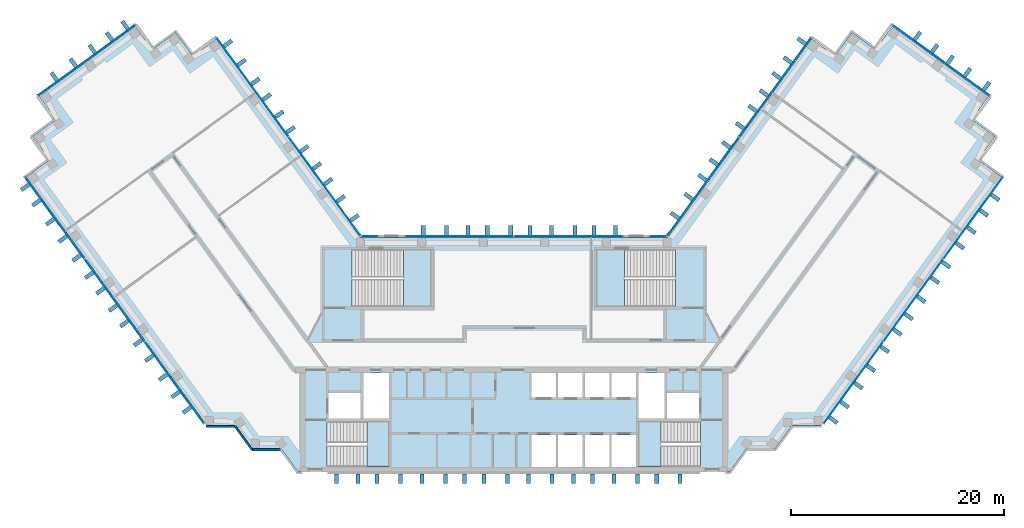
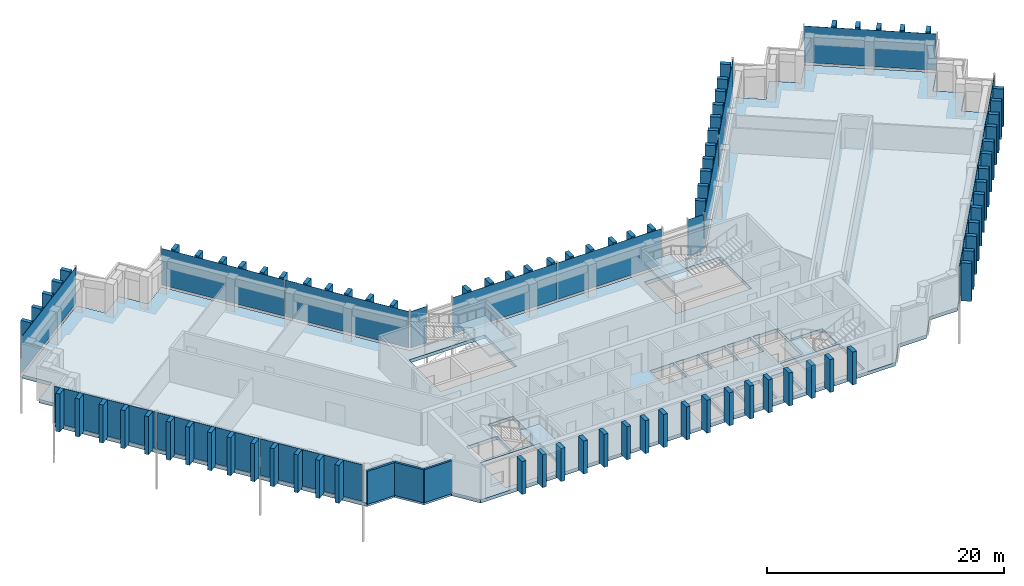
# One storey, part 6 of 13: 103 plates, 5 slabs, 3 walls, 13 elements without a shape of their own.
"""IFC4 building model written with IfcOpenShell, lengths in metres."""

import ifcopenshell
import ifcopenshell.guid

model = None  # the IFC model being written
_history = None  # IfcOwnerHistory: only IFC2X3 demands one
_inside = {}  # id of a spatial element -> (the spatial element, [elements in it])
_under = {}  # id of a project, library or spatial element -> (it, [spatial elements below it])
_declared = {}  # id of a project -> (the project, [libraries it declares])
_typed = {}  # id of a type object -> (the type object, [elements of that type])
_made_of = {}  # id of a material, layer set ... -> (it, [elements and type objects made of it])


def new_model(schema):
    """Start an empty IFC model of exactly this schema.

    Asked for "IFC4X3", IfcOpenShell would pick the latest addendum, in which some entities
    have other attributes; the version numbers below select the first issue.
    IFC2X3 requires an IfcOwnerHistory on every rooted entity: one is made here for all.
    """
    global model, _history
    if schema == "IFC4X3":
        model = ifcopenshell.file(schema_version=(4, 3, 0, 0))
    else:
        model = ifcopenshell.file(schema=schema)
    _inside.clear()
    _under.clear()
    _declared.clear()
    _typed.clear()
    _made_of.clear()
    _history = None
    if model.schema == "IFC2X3":
        org = make("IfcOrganization", Name="unknown")
        user = make(
            "IfcPersonAndOrganization",
            ThePerson=make("IfcPerson", FamilyName="unknown"),
            TheOrganization=org,
        )
        app = make(
            "IfcApplication",
            ApplicationDeveloper=org,
            Version="unknown",
            ApplicationFullName="unknown",
            ApplicationIdentifier="unknown",
        )
        _history = make(
            "IfcOwnerHistory",
            OwningUser=user,
            OwningApplication=app,
            ChangeAction="ADDED",
            CreationDate=0,
        )
    return model


def make(cls, **values):
    """One entity of the class cls with the attributes given. An attribute that is None is left unset."""
    return model.create_entity(
        cls, **{name: value for name, value in values.items() if value is not None}
    )


def rooted(cls, **values):
    """An entity with a GlobalId (a new one), such as an element, a storey or a relation."""
    return make(cls, GlobalId=ifcopenshell.guid.new(), OwnerHistory=_history, **values)


def si_unit(unit_type, name, prefix=None):
    """IfcSIUnit, for example si_unit("LENGTHUNIT", "METRE", prefix="MILLI")."""
    return make("IfcSIUnit", UnitType=unit_type, Prefix=prefix, Name=name)


def assignment(units):
    """IfcUnitAssignment: the units of a project."""
    return None if units is None else make("IfcUnitAssignment", Units=units)


def point(xyz):
    """IfcCartesianPoint."""
    return None if xyz is None else make("IfcCartesianPoint", Coordinates=xyz)


def direction(xyz):
    """IfcDirection."""
    return None if xyz is None else make("IfcDirection", DirectionRatios=xyz)


def frame(location, z_axis=None, x_axis=None):
    """IfcAxis2Placement3D, a coordinate frame: its origin and axes. An axis left out is left unset."""
    return make(
        "IfcAxis2Placement3D",
        Location=point(location),
        Axis=direction(z_axis),
        RefDirection=direction(x_axis),
    )


def frame_2d(location, x_axis=None):
    """IfcAxis2Placement2D, a coordinate frame in the plane: its origin and x axis."""
    return make(
        "IfcAxis2Placement2D", Location=point(location), RefDirection=direction(x_axis)
    )


def origin():
    """The frame at (0, 0, 0) with its axes left unset."""
    return frame((0.0, 0.0, 0.0))


def origin_2d():
    """The frame at (0, 0) in the plane with its x axis left unset."""
    return frame_2d((0.0, 0.0))


def place(relative_to, where):
    """IfcLocalPlacement: puts the frame where relative to a parent placement (None: the world)."""
    return make(
        "IfcLocalPlacement", PlacementRelTo=relative_to, RelativePlacement=where
    )


def context(
    kind, dimensions, precision=None, world=None, true_north=None, identifier=None
):
    """IfcGeometricRepresentationContext, for example the 3D "Model" context."""
    return make(
        "IfcGeometricRepresentationContext",
        ContextIdentifier=identifier,
        ContextType=kind,
        CoordinateSpaceDimension=dimensions,
        Precision=precision,
        WorldCoordinateSystem=world,
        TrueNorth=true_north,
    )


def subcontext(parent, identifier, kind, view, scale=None):
    """IfcGeometricRepresentationSubContext, for example "Body" below "Model"."""
    return make(
        "IfcGeometricRepresentationSubContext",
        ContextIdentifier=identifier,
        ContextType=kind,
        ParentContext=parent,
        TargetScale=scale,
        TargetView=view,
    )


def project(units=None, contexts=None):
    """IfcProject with its units and contexts."""
    return rooted(
        "IfcProject",
        Name="project",
        RepresentationContexts=contexts,
        UnitsInContext=assignment(units),
    )


def spatial(cls, under=None, at=None, **own):
    """A site, building, storey or space (cls), placed at a placement, below another one or the project."""
    s = rooted(cls, ObjectPlacement=at, **own)
    if under is not None:
        _under.setdefault(under.id(), (under, []))[1].append(s)
    return s


def polyline(points):
    """IfcPolyline through the points."""
    return make("IfcPolyline", Points=[point(p) for p in points])


def profile(cls, at=None, kind="AREA", **sizes):
    """A parametric profile (cls). Its sizes go by their IFC names, for example OverallWidth=200.0."""
    return make(cls, ProfileType=kind, Position=at, **sizes)


def rectangle(**sizes):
    """IfcRectangleProfileDef."""
    return profile("IfcRectangleProfileDef", **sizes)


def outline(outer, holes=None, kind="AREA"):
    """IfcArbitraryClosedProfileDef: a profile drawn as a closed curve; with holes, ...WithVoids."""
    if holes is None:
        return make("IfcArbitraryClosedProfileDef", ProfileType=kind, OuterCurve=outer)
    return make(
        "IfcArbitraryProfileDefWithVoids",
        ProfileType=kind,
        OuterCurve=outer,
        InnerCurves=holes,
    )


def extrude(swept, where, along, depth):
    """IfcExtrudedAreaSolid: the profile swept, set in the frame where, extruded along a direction by depth."""
    return make(
        "IfcExtrudedAreaSolid",
        SweptArea=swept,
        Position=where,
        ExtrudedDirection=direction(along),
        Depth=depth,
    )


def shape(context_of_items, identifier, shape_type, items):
    """IfcShapeRepresentation: the items that make up one representation, for example the "Body"."""
    return make(
        "IfcShapeRepresentation",
        ContextOfItems=context_of_items,
        RepresentationIdentifier=identifier,
        RepresentationType=shape_type,
        Items=items,
    )


def material(Name=None, Category=None):
    """IfcMaterial."""
    return make("IfcMaterial", Name=Name, Category=Category)


def layer(
    of_material, thickness, ventilated=None, Name=None, Category=None, Priority=None
):
    """IfcMaterialLayer: one layer of a wall or slab, of a material (None: an air gap)."""
    return make(
        "IfcMaterialLayer",
        Material=of_material,
        LayerThickness=thickness,
        IsVentilated=ventilated,
        Name=Name,
        Category=Category,
        Priority=Priority,
    )


def layer_set(layers, Name=None):
    """IfcMaterialLayerSet."""
    return make("IfcMaterialLayerSet", MaterialLayers=layers, LayerSetName=Name)


def made_of(thing, what):
    """Note that an element or type object is made of a material, layer set ...; save() writes the relation."""
    if what is not None:
        _made_of.setdefault(what.id(), (what, []))[1].append(thing)
    return thing


def type_object(cls, material=None, **own):
    """A type object (cls), such as IfcWallType, which elements share."""
    return made_of(rooted(cls, **own), material)


def element(
    cls,
    number,
    at=None,
    inside=None,
    cuts=None,
    type_object=None,
    material=None,
    context=None,
    identifier="Body",
    shape_type=None,
    held_by="IfcProductDefinitionShape",
    body=None,
    shapes=None,
    **own,
):
    """One element of the class cls, such as IfcWall. Its Tag is "e" and its number.

    at: its placement. inside: the storey or other place that contains it. cuts: it is an
    opening in that element (IfcRelVoidsElement). A single representation is given by context,
    identifier, shape_type and body (its items); several are given by shapes. held_by: the class
    of the entity that holds the representations. save() writes the other relations.
    """
    e = rooted(cls, Tag="e%d" % number, ObjectPlacement=at, **own)
    if body is not None:
        shapes = [shape(context, identifier, shape_type, body)]
    if shapes is not None:
        e.Representation = make(held_by, Representations=shapes)
    if inside is not None:
        _inside.setdefault(inside.id(), (inside, []))[1].append(e)
    if cuts is not None:
        rooted(
            "IfcRelVoidsElement", RelatingBuildingElement=cuts, RelatedOpeningElement=e
        )
    if type_object is not None:
        _typed.setdefault(type_object.id(), (type_object, []))[1].append(e)
    return made_of(e, material)


def aggregate(whole, parts):
    """IfcRelAggregates: a whole, such as a stair, and the parts it consists of."""
    return rooted("IfcRelAggregates", RelatingObject=whole, RelatedObjects=parts)


def save(model, path):
    """Write the relations noted so far, then the file.

    IfcRelAggregates (storeys below a building ...), IfcRelContainedInSpatialStructure (elements
    in a storey), IfcRelDefinesByType, IfcRelAssociatesMaterial and IfcRelDeclares: one each for
    every whole, place, type object, material and project.
    """
    for whole, parts in _under.values():
        aggregate(whole, parts)
    for where, things in _inside.values():
        rooted(
            "IfcRelContainedInSpatialStructure",
            RelatedElements=things,
            RelatingStructure=where,
        )
    for kind, things in _typed.values():
        rooted("IfcRelDefinesByType", RelatedObjects=things, RelatingType=kind)
    for what, things in _made_of.values():
        rooted("IfcRelAssociatesMaterial", RelatedObjects=things, RelatingMaterial=what)
    for by, libraries in _declared.values():
        rooted("IfcRelDeclares", RelatingContext=by, RelatedDefinitions=libraries)
    model.write(path)


model = new_model("IFC4")

# Units and contexts
model_context = context("Model", 3, precision=1e-05, world=origin(), true_north=direction((0.0, 1.0)))
body_context = subcontext(model_context, "Body", "Model", "MODEL_VIEW")
ifc_project = project(units=[si_unit("LENGTHUNIT", "METRE"), si_unit("AREAUNIT", "SQUARE_METRE"), si_unit("VOLUMEUNIT", "CUBIC_METRE"), si_unit("PLANEANGLEUNIT", "RADIAN"), si_unit("MASSUNIT", "GRAM", prefix="KILO")], contexts=[model_context])

# Site, building, storey
site_placement = place(None, origin())
site = spatial("IfcSite", under=ifc_project, at=site_placement, CompositionType="ELEMENT")
building_placement = place(site_placement, origin())
building = spatial("IfcBuilding", under=site, at=building_placement, Name="Quipu Civic Tower", CompositionType="ELEMENT")
storey_placement = place(building_placement, frame((0.0, 0.0, 184.0)))
storey = spatial("IfcBuildingStorey", under=building, at=storey_placement, Name="L43", CompositionType="ELEMENT", Elevation=184.0)

# Slab
ifc_material_1 = material(Name="Concrete C40/50", Category="concrete")
ifc_layer_1 = layer(ifc_material_1, 0.35009765625)
ifc_layer_set_1 = layer_set([ifc_layer_1], Name="Concrete C40/50")
slab_type_1 = type_object("IfcSlabType", Name="Floor slab 350 C40/50", PredefinedType="FLOOR", material=ifc_layer_set_1)
slab_1_placement = place(storey_placement, frame((0.0, 0.0, -0.35009765625)))
element("IfcSlab", 1, at=slab_1_placement, inside=storey, type_object=slab_type_1, Name="Floor slab L43", PredefinedType="FLOOR", context=body_context, shape_type="SweptSolid", body=[
    extrude(outline(polyline([(27.909912109375, 29.60498046875), (30.094970703125, 28.014892578125), (31.68505859375, 30.199951171875), (33.864990234375, 28.614990234375), (35.455078125, 30.800048828125), (44.514892578125, 24.215087890625), (42.929931640625, 22.030029296875), (45.114990234375, 20.445068359375), (43.52490234375, 18.260009765625), (45.7099609375, 16.669921875), (28.780029296875, -6.6298828125), (26.080078125, -6.6298828125), (24.489990234375, -8.81494140625), (21.7900390625, -8.81494140625), (20.205078125, -11.0), (-20.205078125, -11.0), (-21.7900390625, -8.81494140625), (-24.489990234375, -8.81494140625), (-26.080078125, -6.6298828125), (-28.780029296875, -6.6298828125), (-45.7099609375, 16.669921875), (-43.52490234375, 18.260009765625), (-45.114990234375, 20.445068359375), (-42.929931640625, 22.030029296875), (-44.514892578125, 24.215087890625), (-35.455078125, 30.800048828125), (-33.864990234375, 28.614990234375), (-31.68505859375, 30.199951171875), (-30.094970703125, 28.014892578125), (-27.909912109375, 29.60498046875), (-14.39501953125, 11.0), (14.39501953125, 11.0), (27.909912109375, 29.60498046875)]), holes=[polyline([(1.64990234375, -7.5), (1.64990234375, -10.5), (3.949951171875, -10.5), (3.949951171875, -7.5), (1.64990234375, -7.5)]), polyline([(4.14990234375, -7.5), (4.14990234375, -10.5), (6.449951171875, -10.5), (6.449951171875, -7.5), (4.14990234375, -7.5)]), polyline([(-11.705078125, -6.2548828125), (-17.4951171875, -6.2548828125), (-17.4951171875, -10.4951171875), (-11.705078125, -10.4951171875), (-11.705078125, -6.2548828125)]), polyline([(-17.35009765625, -3.60009765625), (-17.35009765625, -6.0), (-14.35009765625, -6.0), (-14.35009765625, -3.60009765625), (-17.35009765625, -3.60009765625)]), polyline([(-14.10009765625, -1.699951171875), (-14.10009765625, -6.0), (-11.699951171875, -6.0), (-11.699951171875, -1.699951171875), (-14.10009765625, -1.699951171875)]), polyline([(1.64990234375, -1.699951171875), (1.64990234375, -4.0), (3.949951171875, -4.0), (3.949951171875, -1.699951171875), (1.64990234375, -1.699951171875)]), polyline([(4.14990234375, -1.699951171875), (4.14990234375, -4.0), (6.449951171875, -4.0), (6.449951171875, -1.699951171875), (4.14990234375, -1.699951171875)]), polyline([(-7.7548828125, 9.844970703125), (-15.14501953125, 9.844970703125), (-15.14501953125, 4.5048828125), (-7.7548828125, 4.5048828125), (-7.7548828125, 9.844970703125)]), polyline([(6.64990234375, -7.5), (6.64990234375, -10.5), (8.949951171875, -10.5), (8.949951171875, -7.5), (6.64990234375, -7.5)]), polyline([(9.14990234375, -7.5), (9.14990234375, -10.5), (11.449951171875, -10.5), (11.449951171875, -7.5), (9.14990234375, -7.5)]), polyline([(11.705078125, -10.4951171875), (17.4951171875, -10.4951171875), (17.4951171875, -6.2548828125), (11.705078125, -6.2548828125), (11.705078125, -10.4951171875)]), polyline([(14.35009765625, -3.60009765625), (14.35009765625, -6.0), (17.35009765625, -6.0), (17.35009765625, -3.60009765625), (14.35009765625, -3.60009765625)]), polyline([(11.699951171875, -1.699951171875), (11.699951171875, -6.0), (14.10009765625, -6.0), (14.10009765625, -1.699951171875), (11.699951171875, -1.699951171875)]), polyline([(6.64990234375, -1.699951171875), (6.64990234375, -4.0), (8.949951171875, -4.0), (8.949951171875, -1.699951171875), (6.64990234375, -1.699951171875)]), polyline([(9.14990234375, -1.699951171875), (9.14990234375, -4.0), (11.449951171875, -4.0), (11.449951171875, -1.699951171875), (9.14990234375, -1.699951171875)]), polyline([(7.7548828125, 4.5048828125), (15.14501953125, 4.5048828125), (15.14501953125, 9.844970703125), (7.7548828125, 9.844970703125), (7.7548828125, 4.5048828125)])]), origin(), (0.0, 0.0, 1.0), 0.35009765625),
])

# Curtain wall, plates
ifc_material_2 = material(Name="Insulated glass unit", Category="glass")
curtain_wall_type = type_object("IfcCurtainWallType", Name="Office curtain wall CW1", PredefinedType="NOTDEFINED", material=ifc_material_2)
curtain_wall_1_placement = place(storey_placement, origin())
curtain_wall_1 = element("IfcCurtainWall", 2, at=curtain_wall_1_placement, inside=storey, type_object=curtain_wall_type, Name="Office curtain wall CW1 L42 run 1", PredefinedType="NOTDEFINED")
ifc_material_3 = material(Name="Insulated glass unit", Category="glass")
ifc_layer_2 = layer(ifc_material_3, 0.028076171875)
ifc_layer_set_2 = layer_set([ifc_layer_2], Name="Insulated glass unit")
plate_type_1 = type_object("IfcPlateType", Name="Glass panel CW1", PredefinedType="CURTAIN_PANEL", material=ifc_layer_set_2)
plate_1_placement = place(storey_placement, frame((-17.7421875, 15.777099609375, 0.16015625), z_axis=(0.0, 0.0, 1.0), x_axis=(-0.587788727052, 0.809014469803, 0.0)))
plate_1 = element("IfcPlate", 3, at=plate_1_placement, type_object=plate_type_1, Name="CW1 panel 1.2", PredefinedType="CURTAIN_PANEL", context=body_context, shape_type="SweptSolid", body=[
    extrude(rectangle(XDim=11.402099609375, YDim=0.028076171875, at=origin_2d()), origin(), (0.0, 0.0, 1.0), 3.760009765625),
])
plate_2_placement = place(storey_placement, frame((-24.491455078125, 25.066162109375, 0.16015625), z_axis=(0.0, 0.0, 1.0), x_axis=(-0.587788727052, 0.809014469803, 0.0)))
plate_2 = element("IfcPlate", 4, at=plate_2_placement, type_object=plate_type_1, Name="CW1 panel 2.2", PredefinedType="CURTAIN_PANEL", context=body_context, shape_type="SweptSolid", body=[
    extrude(rectangle(XDim=11.402099609375, YDim=0.028076171875, at=origin_2d()), origin(), (0.0, 0.0, 1.0), 3.760009765625),
])
aggregate(curtain_wall_1, [plate_1, plate_2])

# Curtain wall, plate
curtain_wall_2_placement = place(storey_placement, origin())
curtain_wall_2 = element("IfcCurtainWall", 5, at=curtain_wall_2_placement, inside=storey, type_object=curtain_wall_type, Name="Office curtain wall CW1 L42 run 6", PredefinedType="NOTDEFINED")
plate_3_placement = place(storey_placement, frame((-40.04345703125, 27.58740234375, 0.16015625), z_axis=(0.0, 0.0, 1.0), x_axis=(-0.809015176832, -0.587787753918, 0.0)))
plate_3 = element("IfcPlate", 6, at=plate_3_placement, type_object=plate_type_1, Name="CW1 panel 1.2", PredefinedType="CURTAIN_PANEL", context=body_context, shape_type="SweptSolid", body=[
    extrude(rectangle(XDim=11.239990234375, YDim=0.028076171875, at=origin_2d()), origin(), (0.0, 0.0, 1.0), 3.760009765625),
])
aggregate(curtain_wall_2, [plate_3])

# Curtain wall, plates
curtain_wall_3_placement = place(storey_placement, origin())
curtain_wall_3 = element("IfcCurtainWall", 7, at=curtain_wall_3_placement, inside=storey, type_object=curtain_wall_type, Name="Office curtain wall CW1 L42 run 8", PredefinedType="NOTDEFINED")
plate_4_placement = place(storey_placement, frame((-43.030517578125, 12.814208984375, 0.16015625), z_axis=(0.0, 0.0, 1.0), x_axis=(0.5877856923, -0.80901667469, 0.0)))
plate_4 = element("IfcPlate", 8, at=plate_4_placement, type_object=plate_type_1, Name="CW1 panel 1.2", PredefinedType="CURTAIN_PANEL", context=body_context, shape_type="SweptSolid", body=[
    extrude(rectangle(XDim=9.43212890625, YDim=0.028076171875, at=origin_2d()), origin(), (0.0, 0.0, 1.0), 3.760009765625),
])
plate_5_placement = place(storey_placement, frame((-37.427734375, 5.102783203125, 0.16015625), z_axis=(0.0, 0.0, 1.0), x_axis=(0.5877856923, -0.80901667469, 0.0)))
plate_5 = element("IfcPlate", 9, at=plate_5_placement, type_object=plate_type_1, Name="CW1 panel 2.2", PredefinedType="CURTAIN_PANEL", context=body_context, shape_type="SweptSolid", body=[
    extrude(rectangle(XDim=9.471923828125, YDim=0.028076171875, at=origin_2d()), origin(), (0.0, 0.0, 1.0), 3.760009765625),
])
plate_6_placement = place(storey_placement, frame((-31.824951171875, -2.60888671875, 0.16015625), z_axis=(0.0, 0.0, 1.0), x_axis=(0.5877856923, -0.80901667469, 0.0)))
plate_6 = element("IfcPlate", 10, at=plate_6_placement, type_object=plate_type_1, Name="CW1 panel 3.2", PredefinedType="CURTAIN_PANEL", context=body_context, shape_type="SweptSolid", body=[
    extrude(rectangle(XDim=9.43212890625, YDim=0.028076171875, at=origin_2d()), origin(), (0.0, 0.0, 1.0), 3.760009765625),
])
aggregate(curtain_wall_3, [plate_4, plate_5, plate_6])

curtain_wall_4_placement = place(storey_placement, origin())
curtain_wall_4 = element("IfcCurtainWall", 11, at=curtain_wall_4_placement, inside=storey, type_object=curtain_wall_type, Name="Office curtain wall CW1 L42 run 20", PredefinedType="NOTDEFINED")
plate_7_placement = place(storey_placement, frame((31.824951171875, -2.60888671875, 0.16015625), z_axis=(0.0, 0.0, 1.0), x_axis=(0.5877856923, 0.80901667469, 0.0)))
plate_7 = element("IfcPlate", 12, at=plate_7_placement, type_object=plate_type_1, Name="CW1 panel 1.2", PredefinedType="CURTAIN_PANEL", context=body_context, shape_type="SweptSolid", body=[
    extrude(rectangle(XDim=9.43212890625, YDim=0.028076171875, at=origin_2d()), origin(), (0.0, 0.0, 1.0), 3.760009765625),
])
plate_8_placement = place(storey_placement, frame((37.427734375, 5.102783203125, 0.16015625), z_axis=(0.0, 0.0, 1.0), x_axis=(0.5877856923, 0.80901667469, 0.0)))
plate_8 = element("IfcPlate", 13, at=plate_8_placement, type_object=plate_type_1, Name="CW1 panel 2.2", PredefinedType="CURTAIN_PANEL", context=body_context, shape_type="SweptSolid", body=[
    extrude(rectangle(XDim=9.471923828125, YDim=0.028076171875, at=origin_2d()), origin(), (0.0, 0.0, 1.0), 3.760009765625),
])
plate_9_placement = place(storey_placement, frame((43.030517578125, 12.814208984375, 0.16015625), z_axis=(0.0, 0.0, 1.0), x_axis=(0.5877856923, 0.80901667469, 0.0)))
plate_9 = element("IfcPlate", 14, at=plate_9_placement, type_object=plate_type_1, Name="CW1 panel 3.2", PredefinedType="CURTAIN_PANEL", context=body_context, shape_type="SweptSolid", body=[
    extrude(rectangle(XDim=9.43212890625, YDim=0.028076171875, at=origin_2d()), origin(), (0.0, 0.0, 1.0), 3.760009765625),
])
aggregate(curtain_wall_4, [plate_7, plate_8, plate_9])

# Curtain wall, plate
curtain_wall_5_placement = place(storey_placement, origin())
curtain_wall_5 = element("IfcCurtainWall", 15, at=curtain_wall_5_placement, inside=storey, type_object=curtain_wall_type, Name="Office curtain wall CW1 L42 run 25", PredefinedType="NOTDEFINED")
plate_10_placement = place(storey_placement, frame((40.04345703125, 27.58740234375, 0.16015625), z_axis=(0.0, 0.0, 1.0), x_axis=(-0.809015176832, 0.587787753918, 0.0)))
plate_10 = element("IfcPlate", 16, at=plate_10_placement, type_object=plate_type_1, Name="CW1 panel 1.2", PredefinedType="CURTAIN_PANEL", context=body_context, shape_type="SweptSolid", body=[
    extrude(rectangle(XDim=11.239990234375, YDim=0.028076171875, at=origin_2d()), origin(), (0.0, 0.0, 1.0), 3.760009765625),
])
aggregate(curtain_wall_5, [plate_10])

# Curtain wall, plates
curtain_wall_6_placement = place(storey_placement, origin())
curtain_wall_6 = element("IfcCurtainWall", 17, at=curtain_wall_6_placement, inside=storey, type_object=curtain_wall_type, Name="Office curtain wall CW1 L42 run 30", PredefinedType="NOTDEFINED")
plate_11_placement = place(storey_placement, frame((24.491455078125, 25.066162109375, 0.16015625), z_axis=(0.0, 0.0, 1.0), x_axis=(-0.587788727052, -0.809014469803, 0.0)))
plate_11 = element("IfcPlate", 18, at=plate_11_placement, type_object=plate_type_1, Name="CW1 panel 1.2", PredefinedType="CURTAIN_PANEL", context=body_context, shape_type="SweptSolid", body=[
    extrude(rectangle(XDim=11.402099609375, YDim=0.028076171875, at=origin_2d()), origin(), (0.0, 0.0, 1.0), 3.760009765625),
])
plate_12_placement = place(storey_placement, frame((17.7421875, 15.777099609375, 0.16015625), z_axis=(0.0, 0.0, 1.0), x_axis=(-0.587788727052, -0.809014469803, 0.0)))
plate_12 = element("IfcPlate", 19, at=plate_12_placement, type_object=plate_type_1, Name="CW1 panel 2.2", PredefinedType="CURTAIN_PANEL", context=body_context, shape_type="SweptSolid", body=[
    extrude(rectangle(XDim=11.402099609375, YDim=0.028076171875, at=origin_2d()), origin(), (0.0, 0.0, 1.0), 3.760009765625),
])
aggregate(curtain_wall_6, [plate_11, plate_12])

# Curtain wall, plate
curtain_wall_7_placement = place(storey_placement, origin())
curtain_wall_7 = element("IfcCurtainWall", 20, at=curtain_wall_7_placement, inside=storey, type_object=curtain_wall_type, Name="Office curtain wall CW1 L42 run 31", PredefinedType="NOTDEFINED")
plate_13_placement = place(storey_placement, frame((13.49951171875, 11.10009765625, 0.16015625), z_axis=(0.0, 0.0, 1.0), x_axis=(-1.0, 0.0, 0.0)))
plate_13 = element("IfcPlate", 21, at=plate_13_placement, type_object=plate_type_1, Name="CW1 panel 1.2", PredefinedType="CURTAIN_PANEL", context=body_context, shape_type="SweptSolid", body=[
    extrude(rectangle(XDim=1.529296875, YDim=0.028076171875, at=origin_2d()), origin(), (0.0, 0.0, 1.0), 3.760009765625),
])
aggregate(curtain_wall_7, [plate_13])

# Curtain wall, plates
curtain_wall_8_placement = place(storey_placement, origin())
curtain_wall_8 = element("IfcCurtainWall", 22, at=curtain_wall_8_placement, inside=storey, type_object=curtain_wall_type, Name="Office curtain wall CW1 L42 run 33", PredefinedType="NOTDEFINED")
plate_14_placement = place(storey_placement, frame((5.11181640625, 11.10009765625, 0.16015625), z_axis=(0.0, 0.0, 1.0), x_axis=(-1.0, 0.0, 0.0)))
plate_14 = element("IfcPlate", 23, at=plate_14_placement, type_object=plate_type_1, Name="CW1 panel 1.2", PredefinedType="CURTAIN_PANEL", context=body_context, shape_type="SweptSolid", body=[
    extrude(rectangle(XDim=10.1435546875, YDim=0.028076171875, at=origin_2d()), origin(), (0.0, 0.0, 1.0), 3.760009765625),
])
plate_15_placement = place(storey_placement, frame((-5.11181640625, 11.10009765625, 0.16015625), z_axis=(0.0, 0.0, 1.0), x_axis=(-1.0, 0.0, 0.0)))
plate_15 = element("IfcPlate", 24, at=plate_15_placement, type_object=plate_type_1, Name="CW1 panel 2.2", PredefinedType="CURTAIN_PANEL", context=body_context, shape_type="SweptSolid", body=[
    extrude(rectangle(XDim=10.1435546875, YDim=0.028076171875, at=origin_2d()), origin(), (0.0, 0.0, 1.0), 3.760009765625),
])
aggregate(curtain_wall_8, [plate_14, plate_15])

# Curtain wall, plate
curtain_wall_9_placement = place(storey_placement, origin())
curtain_wall_9 = element("IfcCurtainWall", 25, at=curtain_wall_9_placement, inside=storey, type_object=curtain_wall_type, Name="Office curtain wall CW1 L42 run 35", PredefinedType="NOTDEFINED")
plate_16_placement = place(storey_placement, frame((-13.49951171875, 11.10009765625, 0.16015625), z_axis=(0.0, 0.0, 1.0), x_axis=(-1.0, 0.0, 0.0)))
plate_16 = element("IfcPlate", 26, at=plate_16_placement, type_object=plate_type_1, Name="CW1 panel 1.2", PredefinedType="CURTAIN_PANEL", context=body_context, shape_type="SweptSolid", body=[
    extrude(rectangle(XDim=1.529296875, YDim=0.028076171875, at=origin_2d()), origin(), (0.0, 0.0, 1.0), 3.760009765625),
])
aggregate(curtain_wall_9, [plate_16])

# Plates
ifc_material_4 = material(Name="Precast concrete C40/50", Category="concrete")
plate_type_2 = type_object("IfcPlateType", Name="Precast fin F2", PredefinedType="SHEET", material=ifc_material_4)
for number, where, z_axis, x_axis, name in (
    (27, (-14.92138671875, 12.830078125, 0.080078125), (0.0, 0.0, 1.0), (-0.587787133119, 0.809015627871, 0.0), "Precast fin F2 L43.P04.1"),
    (28, (-16.214599609375, 14.610107421875, 0.080078125), (0.0, 0.0, 1.0), (-0.587787133119, 0.809015627871, 0.0), "Precast fin F2 L43.P04.2"),
    (29, (-17.39013671875, 16.22802734375, 0.080078125), (0.0, 0.0, 1.0), (-0.587787133119, 0.809015627871, 0.0), "Precast fin F2 L43.P04.3"),
    (30, (-18.4482421875, 17.684326171875, 0.080078125), (0.0, 0.0, 1.0), (-0.587787133119, 0.809015627871, 0.0), "Precast fin F2 L43.P04.4"),
    (31, (-19.623779296875, 19.30224609375, 0.080078125), (0.0, 0.0, 1.0), (-0.587787133119, 0.809015627871, 0.0), "Precast fin F2 L43.P04.5"),
    (32, (-20.9169921875, 21.082275390625, 0.080078125), (0.0, 0.0, 1.0), (-0.587787133119, 0.809015627871, 0.0), "Precast fin F2 L43.P04.6"),
    (33, (-21.974853515625, 22.538330078125, 0.080078125), (0.0, 0.0, 1.0), (-0.587787133119, 0.809015627871, 0.0), "Precast fin F2 L43.P04.7"),
    (34, (-23.150390625, 24.156494140625, 0.080078125), (0.0, 0.0, 1.0), (-0.587787133119, 0.809015627871, 0.0), "Precast fin F2 L43.P04.8"),
    (35, (-24.20849609375, 25.612548828125, 0.080078125), (0.0, 0.0, 1.0), (-0.587787133119, 0.809015627871, 0.0), "Precast fin F2 L43.P04.9"),
    (36, (-25.501708984375, 27.392578125, 0.080078125), (0.0, 0.0, 1.0), (-0.587787133119, 0.809015627871, 0.0), "Precast fin F2 L43.P04.10"),
    (37, (-26.794677734375, 29.17236328125, 0.080078125), (0.0, 0.0, 1.0), (-0.587787133119, 0.809015627871, 0.0), "Precast fin F2 L43.P04.11"),
    (38, (-36.434814453125, 30.88916015625, 0.080078125), (0.0, 0.0, 1.0), (-0.809017072762, -0.587785144401, 0.0), "Precast fin F2 L43.P09.1"),
    (39, (-37.89111328125, 29.8310546875, 0.080078125), (0.0, 0.0, 1.0), (-0.809017072762, -0.587785144401, 0.0), "Precast fin F2 L43.P09.2"),
    (40, (-39.50927734375, 28.655517578125, 0.080078125), (0.0, 0.0, 1.0), (-0.809017072762, -0.587785144401, 0.0), "Precast fin F2 L43.P09.3"),
    (41, (-41.2890625, 27.3623046875, 0.080078125), (0.0, 0.0, 1.0), (-0.809017072762, -0.587785144401, 0.0), "Precast fin F2 L43.P09.4"),
    (42, (-43.06884765625, 26.0693359375, 0.080078125), (0.0, 0.0, 1.0), (-0.809017072762, -0.587785144401, 0.0), "Precast fin F2 L43.P09.5"),
    (43, (-45.80078125, 15.69140625, 0.080078125), (0.0, 0.0, 1.0), (0.587785620359, -0.809016726959, 0.0), "Precast fin F2 L43.P11.1"),
    (44, (-44.74267578125, 14.2353515625, 0.080078125), (0.0, 0.0, 1.0), (0.587785620359, -0.809016726959, 0.0), "Precast fin F2 L43.P11.2"),
    (45, (-43.449462890625, 12.455322265625, 0.080078125), (0.0, 0.0, 1.0), (0.587785620359, -0.809016726959, 0.0), "Precast fin F2 L43.P11.3"),
    (46, (-42.27392578125, 10.83740234375, 0.080078125), (0.0, 0.0, 1.0), (0.587785620359, -0.809016726959, 0.0), "Precast fin F2 L43.P11.4"),
    (47, (-40.98095703125, 9.0576171875, 0.080078125), (0.0, 0.0, 1.0), (0.587785620359, -0.809016726959, 0.0), "Precast fin F2 L43.P11.5"),
    (48, (-39.80517578125, 7.439453125, 0.080078125), (0.0, 0.0, 1.0), (0.587785620359, -0.809016726959, 0.0), "Precast fin F2 L43.P11.6"),
    (49, (-38.747314453125, 5.983154296875, 0.080078125), (0.0, 0.0, 1.0), (0.587785620359, -0.809016726959, 0.0), "Precast fin F2 L43.P11.7"),
    (50, (-37.57177734375, 4.365234375, 0.080078125), (0.0, 0.0, 1.0), (0.587785620359, -0.809016726959, 0.0), "Precast fin F2 L43.P11.8"),
    (51, (-36.513671875, 2.908935546875, 0.080078125), (0.0, 0.0, 1.0), (0.587785620359, -0.809016726959, 0.0), "Precast fin F2 L43.P11.9"),
    (52, (-35.220458984375, 1.129150390625, 0.080078125), (0.0, 0.0, 1.0), (0.587785620359, -0.809016726959, 0.0), "Precast fin F2 L43.P11.10"),
    (53, (-34.16259765625, -0.3271484375, 0.080078125), (0.0, 0.0, 1.0), (0.587785620359, -0.809016726959, 0.0), "Precast fin F2 L43.P11.11"),
    (54, (-32.869384765625, -2.10693359375, 0.080078125), (0.0, 0.0, 1.0), (0.587785620359, -0.809016726959, 0.0), "Precast fin F2 L43.P11.12"),
    (55, (-31.69384765625, -3.724853515625, 0.080078125), (0.0, 0.0, 1.0), (0.587785620359, -0.809016726959, 0.0), "Precast fin F2 L43.P11.13"),
    (56, (-30.6357421875, -5.18115234375, 0.080078125), (0.0, 0.0, 1.0), (0.587785620359, -0.809016726959, 0.0), "Precast fin F2 L43.P11.14"),
):
    element("IfcPlate", number, at=place(storey_placement, frame(where, z_axis=z_axis, x_axis=x_axis)), inside=storey, type_object=plate_type_2, Name=name, PredefinedType="SHEET", context=body_context, shape_type="SweptSolid", body=[
        extrude(rectangle(XDim=0.3798828125, YDim=0.89990234375, at=origin_2d()), origin(), (0.0, 0.0, 1.0), 3.919921875),
    ])
for number, where, z_axis, x_axis, name in (
    (57, (-16.610107421875, -11.637939453125, 0.0), (0.0, 0.0, 1.0), (1.0, 0.0, 0.0), "Precast fin F2 L43.P18.1"),
    (58, (-14.610107421875, -11.637939453125, 0.0), (0.0, 0.0, 1.0), (1.0, 0.0, 0.0), "Precast fin F2 L43.P18.2"),
    (59, (-12.81005859375, -11.637939453125, 0.0), (0.0, 0.0, 1.0), (1.0, 0.0, 0.0), "Precast fin F2 L43.P18.3"),
    (60, (-10.610107421875, -11.637939453125, 0.0), (0.0, 0.0, 1.0), (1.0, 0.0, 0.0), "Precast fin F2 L43.P18.4"),
    (61, (-8.610107421875, -11.637939453125, 0.0), (0.0, 0.0, 1.0), (1.0, 0.0, 0.0), "Precast fin F2 L43.P18.5"),
    (62, (-6.409912109375, -11.637939453125, 0.0), (0.0, 0.0, 1.0), (1.0, 0.0, 0.0), "Precast fin F2 L43.P18.6"),
    (63, (-4.610107421875, -11.637939453125, 0.0), (0.0, 0.0, 1.0), (1.0, 0.0, 0.0), "Precast fin F2 L43.P18.7"),
    (64, (-2.81005859375, -11.637939453125, 0.0), (0.0, 0.0, 1.0), (1.0, 0.0, 0.0), "Precast fin F2 L43.P18.8"),
    (65, (-0.610107421875, -11.637939453125, 0.0), (0.0, 0.0, 1.0), (1.0, 0.0, 0.0), "Precast fin F2 L43.P18.9"),
    (66, (1.389892578125, -11.637939453125, 0.0), (0.0, 0.0, 1.0), (1.0, 0.0, 0.0), "Precast fin F2 L43.P18.10"),
    (67, (3.590087890625, -11.637939453125, 0.0), (0.0, 0.0, 1.0), (1.0, 0.0, 0.0), "Precast fin F2 L43.P18.11"),
    (68, (5.590087890625, -11.637939453125, 0.0), (0.0, 0.0, 1.0), (1.0, 0.0, 0.0), "Precast fin F2 L43.P18.12"),
    (69, (7.389892578125, -11.637939453125, 0.0), (0.0, 0.0, 1.0), (1.0, 0.0, 0.0), "Precast fin F2 L43.P18.13"),
    (70, (9.389892578125, -11.637939453125, 0.0), (0.0, 0.0, 1.0), (1.0, 0.0, 0.0), "Precast fin F2 L43.P18.14"),
    (71, (11.590087890625, -11.637939453125, 0.0), (0.0, 0.0, 1.0), (1.0, 0.0, 0.0), "Precast fin F2 L43.P18.15"),
    (72, (13.389892578125, -11.637939453125, 0.0), (0.0, 0.0, 1.0), (1.0, 0.0, 0.0), "Precast fin F2 L43.P18.16"),
    (73, (15.590087890625, -11.637939453125, 0.0), (0.0, 0.0, 1.0), (1.0, 0.0, 0.0), "Precast fin F2 L43.P18.17"),
):
    element("IfcPlate", number, at=place(storey_placement, frame(where, z_axis=z_axis, x_axis=x_axis)), inside=storey, type_object=plate_type_2, Name=name, PredefinedType="SHEET", context=body_context, shape_type="SweptSolid", body=[
        extrude(rectangle(XDim=0.3798828125, YDim=0.89990234375, at=origin_2d()), origin(), (0.0, 0.0, 1.0), 3.39990234375),
    ])
for number, where, z_axis, x_axis, name in (
    (74, (29.944091796875, -6.133056640625, 0.080078125), (0.0, 0.0, 1.0), (0.587785620359, 0.809016726959, 0.0), "Precast fin F2 L43.P24.1"),
    (75, (31.002197265625, -4.677001953125, 0.080078125), (0.0, 0.0, 1.0), (0.587785620359, 0.809016726959, 0.0), "Precast fin F2 L43.P24.2"),
    (76, (32.29541015625, -2.89697265625, 0.080078125), (0.0, 0.0, 1.0), (0.587785620359, 0.809016726959, 0.0), "Precast fin F2 L43.P24.3"),
    (77, (33.470947265625, -1.279052734375, 0.080078125), (0.0, 0.0, 1.0), (0.587785620359, 0.809016726959, 0.0), "Precast fin F2 L43.P24.4"),
    (78, (34.763916015625, 0.500732421875, 0.080078125), (0.0, 0.0, 1.0), (0.587785620359, 0.809016726959, 0.0), "Precast fin F2 L43.P24.5"),
    (79, (35.939697265625, 2.118896484375, 0.080078125), (0.0, 0.0, 1.0), (0.587785620359, 0.809016726959, 0.0), "Precast fin F2 L43.P24.6"),
    (80, (36.99755859375, 3.5751953125, 0.080078125), (0.0, 0.0, 1.0), (0.587785620359, 0.809016726959, 0.0), "Precast fin F2 L43.P24.7"),
    (81, (38.173095703125, 5.193115234375, 0.080078125), (0.0, 0.0, 1.0), (0.587785620359, 0.809016726959, 0.0), "Precast fin F2 L43.P24.8"),
    (82, (39.46630859375, 6.972900390625, 0.080078125), (0.0, 0.0, 1.0), (0.587785620359, 0.809016726959, 0.0), "Precast fin F2 L43.P24.9"),
    (83, (40.5244140625, 8.42919921875, 0.080078125), (0.0, 0.0, 1.0), (0.587785620359, 0.809016726959, 0.0), "Precast fin F2 L43.P24.10"),
    (84, (41.8173828125, 10.208984375, 0.080078125), (0.0, 0.0, 1.0), (0.587785620359, 0.809016726959, 0.0), "Precast fin F2 L43.P24.11"),
    (85, (42.87548828125, 11.665283203125, 0.080078125), (0.0, 0.0, 1.0), (0.587785620359, 0.809016726959, 0.0), "Precast fin F2 L43.P24.12"),
    (86, (44.051025390625, 13.283203125, 0.080078125), (0.0, 0.0, 1.0), (0.587785620359, 0.809016726959, 0.0), "Precast fin F2 L43.P24.13"),
    (87, (45.109130859375, 14.739501953125, 0.080078125), (0.0, 0.0, 1.0), (0.587785620359, 0.809016726959, 0.0), "Precast fin F2 L43.P24.14"),
    (88, (44.298583984375, 25.17578125, 0.080078125), (0.0, 0.0, 1.0), (-0.809017072762, 0.587785144401, 0.0), "Precast fin F2 L43.P29.1"),
    (89, (42.518798828125, 26.468994140625, 0.080078125), (0.0, 0.0, 1.0), (-0.809017072762, 0.587785144401, 0.0), "Precast fin F2 L43.P29.2"),
    (90, (40.900634765625, 27.64453125, 0.080078125), (0.0, 0.0, 1.0), (-0.809017072762, 0.587785144401, 0.0), "Precast fin F2 L43.P29.3"),
    (91, (39.444580078125, 28.70263671875, 0.080078125), (0.0, 0.0, 1.0), (-0.809017072762, 0.587785144401, 0.0), "Precast fin F2 L43.P29.4"),
    (92, (37.826416015625, 29.878173828125, 0.080078125), (0.0, 0.0, 1.0), (-0.809017072762, 0.587785144401, 0.0), "Precast fin F2 L43.P29.5"),
    (93, (26.95068359375, 29.386962890625, 0.080078125), (0.0, 0.0, 1.0), (-0.587787133119, -0.809015627871, 0.0), "Precast fin F2 L43.P34.1"),
    (94, (25.657470703125, 27.607177734375, 0.080078125), (0.0, 0.0, 1.0), (-0.587787133119, -0.809015627871, 0.0), "Precast fin F2 L43.P34.2"),
    (95, (24.599609375, 26.15087890625, 0.080078125), (0.0, 0.0, 1.0), (-0.587787133119, -0.809015627871, 0.0), "Precast fin F2 L43.P34.3"),
    (96, (23.424072265625, 24.53271484375, 0.080078125), (0.0, 0.0, 1.0), (-0.587787133119, -0.809015627871, 0.0), "Precast fin F2 L43.P34.4"),
    (97, (22.365966796875, 23.07666015625, 0.080078125), (0.0, 0.0, 1.0), (-0.587787133119, -0.809015627871, 0.0), "Precast fin F2 L43.P34.5"),
    (98, (21.1904296875, 21.45849609375, 0.080078125), (0.0, 0.0, 1.0), (-0.587787133119, -0.809015627871, 0.0), "Precast fin F2 L43.P34.6"),
    (99, (19.897216796875, 19.6787109375, 0.080078125), (0.0, 0.0, 1.0), (-0.587787133119, -0.809015627871, 0.0), "Precast fin F2 L43.P34.7"),
    (100, (18.7216796875, 18.060791015625, 0.080078125), (0.0, 0.0, 1.0), (-0.587787133119, -0.809015627871, 0.0), "Precast fin F2 L43.P34.8"),
    (101, (17.66357421875, 16.6044921875, 0.080078125), (0.0, 0.0, 1.0), (-0.587787133119, -0.809015627871, 0.0), "Precast fin F2 L43.P34.9"),
    (102, (16.37060546875, 14.82470703125, 0.080078125), (0.0, 0.0, 1.0), (-0.587787133119, -0.809015627871, 0.0), "Precast fin F2 L43.P34.10"),
    (103, (15.077392578125, 13.044677734375, 0.080078125), (0.0, 0.0, 1.0), (-0.587787133119, -0.809015627871, 0.0), "Precast fin F2 L43.P34.11"),
    (104, (9.510009765625, 11.64990234375, 0.080078125), (0.0, 0.0, 1.0), (-1.0, 0.0, 0.0), "Precast fin F2 L43.P37.1"),
    (105, (7.510009765625, 11.64990234375, 0.080078125), (0.0, 0.0, 1.0), (-1.0, 0.0, 0.0), "Precast fin F2 L43.P37.2"),
    (106, (5.7099609375, 11.64990234375, 0.080078125), (0.0, 0.0, 1.0), (-1.0, 0.0, 0.0), "Precast fin F2 L43.P37.3"),
    (107, (3.510009765625, 11.64990234375, 0.080078125), (0.0, 0.0, 1.0), (-1.0, 0.0, 0.0), "Precast fin F2 L43.P37.4"),
    (108, (1.510009765625, 11.64990234375, 0.080078125), (0.0, 0.0, 1.0), (-1.0, 0.0, 0.0), "Precast fin F2 L43.P37.5"),
    (109, (-0.2900390625, 11.64990234375, 0.080078125), (0.0, 0.0, 1.0), (-1.0, 0.0, 0.0), "Precast fin F2 L43.P37.6"),
    (110, (-2.489990234375, 11.64990234375, 0.080078125), (0.0, 0.0, 1.0), (-1.0, 0.0, 0.0), "Precast fin F2 L43.P37.7"),
    (111, (-4.2900390625, 11.64990234375, 0.080078125), (0.0, 0.0, 1.0), (-1.0, 0.0, 0.0), "Precast fin F2 L43.P37.8"),
    (112, (-6.2900390625, 11.64990234375, 0.080078125), (0.0, 0.0, 1.0), (-1.0, 0.0, 0.0), "Precast fin F2 L43.P37.9"),
    (113, (-8.489990234375, 11.64990234375, 0.080078125), (0.0, 0.0, 1.0), (-1.0, 0.0, 0.0), "Precast fin F2 L43.P37.10"),
):
    element("IfcPlate", number, at=place(storey_placement, frame(where, z_axis=z_axis, x_axis=x_axis)), inside=storey, type_object=plate_type_2, Name=name, PredefinedType="SHEET", context=body_context, shape_type="SweptSolid", body=[
        extrude(rectangle(XDim=0.3798828125, YDim=0.89990234375, at=origin_2d()), origin(), (0.0, 0.0, 1.0), 3.919921875),
    ])

# Stair, slab
ifc_material_5 = material(Name="Concrete C40/50", Category="concrete")
stair_type_1 = type_object("IfcStairType", Name="Half turn stair 2000", PredefinedType="HALF_TURN_STAIR", material=ifc_material_5)
stair_1_placement = place(storey_placement, origin())
stair_1 = element("IfcStair", 114, at=stair_1_placement, inside=storey, type_object=stair_type_1, Name="Exit stair 1", PredefinedType="HALF_TURN_STAIR")
ifc_material_6 = material(Name="Concrete C40/50", Category="concrete")
ifc_layer_3 = layer(ifc_material_6, 0.199951171875)
ifc_layer_set_3 = layer_set([ifc_layer_3], Name="Concrete C40/50")
slab_type_2 = type_object("IfcSlabType", Name="Stair landing 200", PredefinedType="LANDING", material=ifc_layer_set_3)
slab_2_placement = place(storey_placement, frame((0.0, 0.0, 1.800048828125)))
slab_2 = element("IfcSlab", 115, at=slab_2_placement, type_object=slab_type_2, Name="ST-1 landing 1", PredefinedType="LANDING", context=body_context, shape_type="SweptSolid", body=[
    extrude(outline(polyline([(-13.780029296875, -10.5), (-11.699951171875, -10.5), (-11.699951171875, -6.25), (-13.780029296875, -6.25), (-13.780029296875, -10.5)])), origin(), (0.0, 0.0, 1.0), 0.199951171875),
])
aggregate(stair_1, [slab_2])

stair_2_placement = place(storey_placement, origin())
stair_2 = element("IfcStair", 116, at=stair_2_placement, inside=storey, type_object=stair_type_1, Name="Exit stair 2", PredefinedType="HALF_TURN_STAIR")
slab_3_placement = place(storey_placement, frame((0.0, 0.0, 1.800048828125)))
slab_3 = element("IfcSlab", 117, at=slab_3_placement, type_object=slab_type_2, Name="ST-2 landing 1", PredefinedType="LANDING", context=body_context, shape_type="SweptSolid", body=[
    extrude(outline(polyline([(13.780029296875, -6.25), (11.699951171875, -6.25), (11.699951171875, -10.5), (13.780029296875, -10.5), (13.780029296875, -6.25)])), origin(), (0.0, 0.0, 1.0), 0.199951171875),
])
aggregate(stair_2, [slab_3])

ifc_material_7 = material(Name="Concrete C40/50", Category="concrete")
stair_type_2 = type_object("IfcStairType", Name="Half turn stair 2600", PredefinedType="HALF_TURN_STAIR", material=ifc_material_7)
stair_3_placement = place(storey_placement, origin())
stair_3 = element("IfcStair", 118, at=stair_3_placement, inside=storey, type_object=stair_type_2, Name="Exit stair 3", PredefinedType="HALF_TURN_STAIR")
slab_4_placement = place(storey_placement, frame((0.0, 0.0, 1.800048828125)))
slab_4 = element("IfcSlab", 119, at=slab_4_placement, type_object=slab_type_2, Name="ST-3 landing 1", PredefinedType="LANDING", context=body_context, shape_type="SweptSolid", body=[
    extrude(outline(polyline([(-10.35009765625, 4.5), (-7.75, 4.5), (-7.75, 9.85009765625), (-10.35009765625, 9.85009765625), (-10.35009765625, 4.5)])), origin(), (0.0, 0.0, 1.0), 0.199951171875),
])
aggregate(stair_3, [slab_4])

stair_4_placement = place(storey_placement, origin())
stair_4 = element("IfcStair", 120, at=stair_4_placement, inside=storey, type_object=stair_type_2, Name="Exit stair 4", PredefinedType="HALF_TURN_STAIR")
slab_5_placement = place(storey_placement, frame((0.0, 0.0, 1.800048828125)))
slab_5 = element("IfcSlab", 121, at=slab_5_placement, type_object=slab_type_2, Name="ST-4 landing 1", PredefinedType="LANDING", context=body_context, shape_type="SweptSolid", body=[
    extrude(outline(polyline([(10.35009765625, 9.85009765625), (7.75, 9.85009765625), (7.75, 4.5), (10.35009765625, 4.5), (10.35009765625, 9.85009765625)])), origin(), (0.0, 0.0, 1.0), 0.199951171875),
])
aggregate(stair_4, [slab_5])

# Walls
ifc_material_8 = material(Name="Precast concrete C40/50", Category="concrete")
wall_type = type_object("IfcWallType", Name="Precast cladding wall", PredefinedType="SOLIDWALL", material=ifc_material_8)
wall_1_placement = place(storey_placement, frame((-28.829833984375, -6.71923828125, 0.0), z_axis=(0.0, 0.0, 1.0), x_axis=(1.0, 0.0, 0.0)))
element("IfcWall", 122, at=wall_1_placement, inside=storey, type_object=wall_type, Name="Precast cladding wall L43 P12", PredefinedType="SOLIDWALL", context=body_context, shape_type="SweptSolid", body=[
    extrude(rectangle(XDim=2.699951171875, YDim=0.199951171875, at=frame_2d((1.35009765625, 0.0))), origin(), (0.0, 0.0, 1.0), 3.39990234375),
])
wall_2_placement = place(storey_placement, frame((-26.1201171875, -6.72412109375, 0.0), z_axis=(0.0, 0.0, 1.0), x_axis=(0.587720002413, -0.809064397168, 0.0)))
element("IfcWall", 123, at=wall_2_placement, inside=storey, type_object=wall_type, Name="Precast cladding wall L43 P13", PredefinedType="SOLIDWALL", context=body_context, shape_type="SweptSolid", body=[
    extrude(rectangle(XDim=2.7001953125, YDim=0.199951171875, at=frame_2d((1.35009765625, 0.0))), origin(), (0.0, 0.0, 1.0), 3.39990234375),
])
wall_3_placement = place(storey_placement, frame((-24.542724609375, -8.90380859375, 0.0), z_axis=(0.0, 0.0, 1.0), x_axis=(1.0, 0.0, 0.0)))
element("IfcWall", 124, at=wall_3_placement, inside=storey, type_object=wall_type, Name="Precast cladding wall L43 P14", PredefinedType="SOLIDWALL", context=body_context, shape_type="SweptSolid", body=[
    extrude(rectangle(XDim=2.699951171875, YDim=0.199951171875, at=frame_2d((1.35009765625, 0.0))), origin(), (0.0, 0.0, 1.0), 3.39990234375),
])

save(model, "model.ifc")
